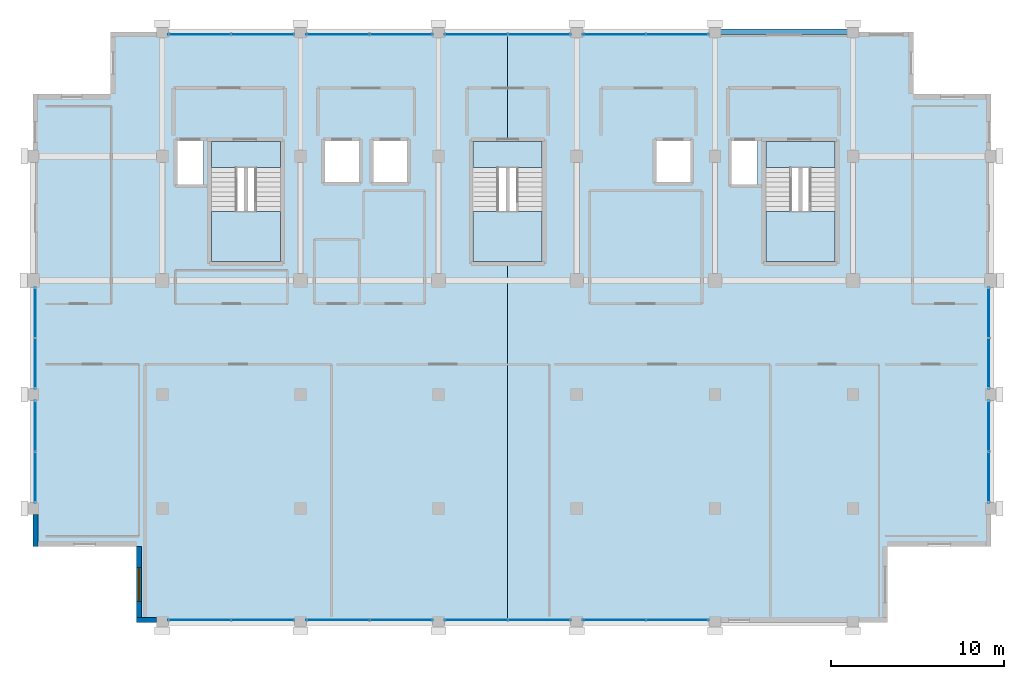
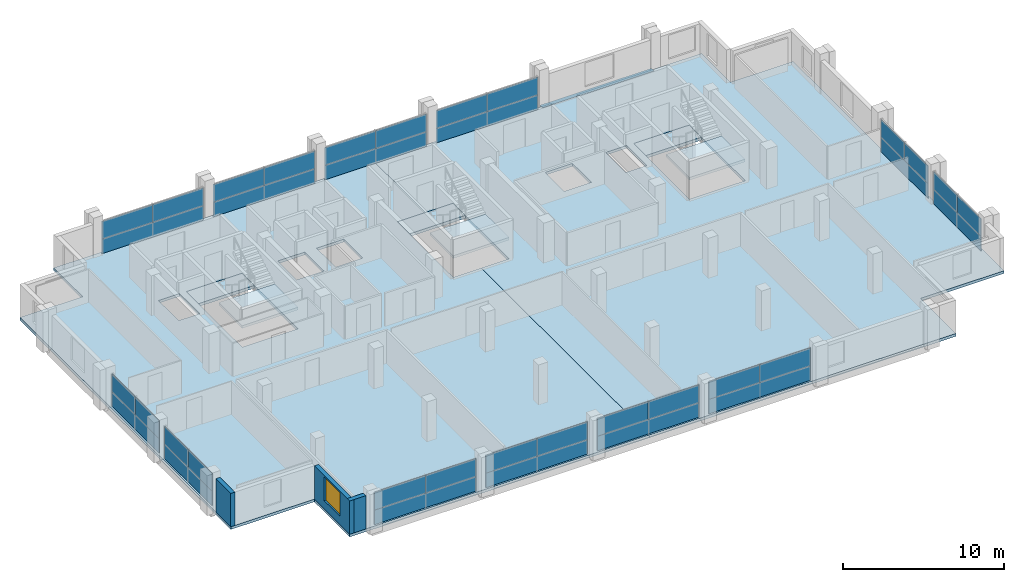
# One storey, part 19 of 24: 36 plates, 8 slabs, 3 walls, 1 beam, 1 window, 1 opening, 15 elements without a shape of their own.
"""IFC4 building model written with IfcOpenShell, lengths in metres."""

from ifc_helpers import new_model, si_unit, direction, frame, frame_2d, origin, origin_2d, place, context, subcontext, project, spatial, polyline, rectangle, outline, extrude, material, layer, layer_set, material_profile, profile_set, type_object, element, fill, aggregate, save


model = new_model("IFC4")

# Units and contexts
model_context = context("Model", 3, precision=1e-05, world=origin(), true_north=direction((0.0, 1.0)))
body_context = subcontext(model_context, "Body", "Model", "MODEL_VIEW")
ifc_project = project(units=[si_unit("LENGTHUNIT", "METRE"), si_unit("AREAUNIT", "SQUARE_METRE"), si_unit("VOLUMEUNIT", "CUBIC_METRE"), si_unit("PLANEANGLEUNIT", "RADIAN"), si_unit("MASSUNIT", "GRAM", prefix="KILO")], contexts=[model_context])

# Site, building, storey
site_placement = place(None, origin())
site = spatial("IfcSite", under=ifc_project, at=site_placement, CompositionType="ELEMENT")
building_placement = place(site_placement, origin())
building = spatial("IfcBuilding", under=site, at=building_placement, Name="Akrevak Sports Hall", CompositionType="ELEMENT")
storey_placement = place(building_placement, frame((0.0, 0.0, 60.050048828125)))
storey = spatial("IfcBuildingStorey", under=building, at=storey_placement, Name="L15", CompositionType="ELEMENT", Elevation=60.050048828125)

# Beam
ifc_material_1 = material(Name="Concrete C40/50", Category="concrete")
ifc_material_profile = material_profile(ifc_material_1, rectangle(XDim=0.320068359375, YDim=0.679931640625, at=origin_2d()), Name="SPD 320x680", Category="concrete")
ifc_profile_set = profile_set([ifc_material_profile], Name="Concrete C40/50")
beam_type = type_object("IfcBeamType", Name="STR-SPD-RC320x680", PredefinedType="SPANDREL", material=ifc_profile_set)
beam_placement = place(storey_placement, frame((92.0, 69.60009765625, -0.340087890625), z_axis=(1.0, 0.0, 0.0), x_axis=(0.0, 1.0, 0.0)))
element("IfcBeam", 1, at=beam_placement, inside=storey, type_object=beam_type, Name="Girder K/13-14 (L15)", PredefinedType="SPANDREL", context=body_context, shape_type="SweptSolid", body=[
    extrude(rectangle(XDim=0.320068359375, YDim=0.679931640625, at=origin_2d()), origin(), (0.0, 0.0, 1.0), 8.0),
])

# Curtain wall, plates
ifc_material_2 = material(Name="Anodized Bronze Aluminium & Low-E Glass", Category="aluminium")
curtain_wall_type = type_object("IfcCurtainWallType", Name="ARC-CW-TWR-56x30", PredefinedType="NOTDEFINED", material=ifc_material_2)
curtain_wall_1_placement = place(storey_placement, origin())
curtain_wall_1 = element("IfcCurtainWall", 2, at=curtain_wall_1_placement, inside=storey, type_object=curtain_wall_type, Name="Curtain Wall CW-L15-S02", PredefinedType="NOTDEFINED")
ifc_material_3 = material(Name="Double Low-E Tempered Glass", Category="glass")
ifc_layer_1 = layer(ifc_material_3, 0.031982421875, Name="Double Low-E Tempered Glass")
ifc_layer_set_1 = layer_set([ifc_layer_1], Name="Double Low-E Tempered Glass")
plate_type_1 = type_object("IfcPlateType", Name="ARC-CWP-GLZ-32", PredefinedType="CURTAIN_PANEL", material=ifc_layer_set_1)
plate_1_placement = place(storey_placement, frame((62.175048828125, 35.550048828125, 1.099853515625), z_axis=(0.0, 0.0, 1.0), x_axis=(1.0, 0.0, 0.0)))
plate_1 = element("IfcPlate", 3, at=plate_1_placement, type_object=plate_type_1, Name="Vision Glass Panel CW-L15-S02-G1", PredefinedType="CURTAIN_PANEL", context=body_context, shape_type="SweptSolid", body=[
    extrude(rectangle(XDim=3.64990234375, YDim=0.035888671875, at=origin_2d()), origin(), (0.0, 0.0, 1.0), 1.35009765625),
])
plate_2_placement = place(storey_placement, frame((65.824951171875, 35.550048828125, 1.099853515625), z_axis=(0.0, 0.0, 1.0), x_axis=(1.0, 0.0, 0.0)))
plate_2 = element("IfcPlate", 4, at=plate_2_placement, type_object=plate_type_1, Name="Vision Glass Panel CW-L15-S02-G2", PredefinedType="CURTAIN_PANEL", context=body_context, shape_type="SweptSolid", body=[
    extrude(rectangle(XDim=3.64990234375, YDim=0.035888671875, at=origin_2d()), origin(), (0.0, 0.0, 1.0), 1.35009765625),
])

curtain_wall_2_placement = place(storey_placement, origin())
curtain_wall_2 = element("IfcCurtainWall", 5, at=curtain_wall_2_placement, inside=storey, type_object=curtain_wall_type, Name="Curtain Wall CW-L15-S03", PredefinedType="NOTDEFINED")
plate_3_placement = place(storey_placement, frame((70.175048828125, 35.550048828125, 1.099853515625), z_axis=(0.0, 0.0, 1.0), x_axis=(1.0, 0.0, 0.0)))
plate_3 = element("IfcPlate", 6, at=plate_3_placement, type_object=plate_type_1, Name="Vision Glass Panel CW-L15-S03-G1", PredefinedType="CURTAIN_PANEL", context=body_context, shape_type="SweptSolid", body=[
    extrude(rectangle(XDim=3.64990234375, YDim=0.035888671875, at=origin_2d()), origin(), (0.0, 0.0, 1.0), 1.35009765625),
])
plate_4_placement = place(storey_placement, frame((73.824951171875, 35.550048828125, 1.099853515625), z_axis=(0.0, 0.0, 1.0), x_axis=(1.0, 0.0, 0.0)))
plate_4 = element("IfcPlate", 7, at=plate_4_placement, type_object=plate_type_1, Name="Vision Glass Panel CW-L15-S03-G2", PredefinedType="CURTAIN_PANEL", context=body_context, shape_type="SweptSolid", body=[
    extrude(rectangle(XDim=3.64990234375, YDim=0.035888671875, at=origin_2d()), origin(), (0.0, 0.0, 1.0), 1.35009765625),
])

curtain_wall_3_placement = place(storey_placement, origin())
curtain_wall_3 = element("IfcCurtainWall", 8, at=curtain_wall_3_placement, inside=storey, type_object=curtain_wall_type, Name="Curtain Wall CW-L15-S04", PredefinedType="NOTDEFINED")
plate_5_placement = place(storey_placement, frame((78.175048828125, 35.550048828125, 1.099853515625), z_axis=(0.0, 0.0, 1.0), x_axis=(1.0, 0.0, 0.0)))
plate_5 = element("IfcPlate", 9, at=plate_5_placement, type_object=plate_type_1, Name="Vision Glass Panel CW-L15-S04-G1", PredefinedType="CURTAIN_PANEL", context=body_context, shape_type="SweptSolid", body=[
    extrude(rectangle(XDim=3.64990234375, YDim=0.035888671875, at=origin_2d()), origin(), (0.0, 0.0, 1.0), 1.35009765625),
])
plate_6_placement = place(storey_placement, frame((81.824951171875, 35.550048828125, 1.099853515625), z_axis=(0.0, 0.0, 1.0), x_axis=(1.0, 0.0, 0.0)))
plate_6 = element("IfcPlate", 10, at=plate_6_placement, type_object=plate_type_1, Name="Vision Glass Panel CW-L15-S04-G2", PredefinedType="CURTAIN_PANEL", context=body_context, shape_type="SweptSolid", body=[
    extrude(rectangle(XDim=3.64990234375, YDim=0.035888671875, at=origin_2d()), origin(), (0.0, 0.0, 1.0), 1.35009765625),
])

curtain_wall_4_placement = place(storey_placement, origin())
curtain_wall_4 = element("IfcCurtainWall", 11, at=curtain_wall_4_placement, inside=storey, type_object=curtain_wall_type, Name="Curtain Wall CW-L15-S05", PredefinedType="NOTDEFINED")
plate_7_placement = place(storey_placement, frame((86.175048828125, 35.550048828125, 1.099853515625), z_axis=(0.0, 0.0, 1.0), x_axis=(1.0, 0.0, 0.0)))
plate_7 = element("IfcPlate", 12, at=plate_7_placement, type_object=plate_type_1, Name="Vision Glass Panel CW-L15-S05-G1", PredefinedType="CURTAIN_PANEL", context=body_context, shape_type="SweptSolid", body=[
    extrude(rectangle(XDim=3.64990234375, YDim=0.035888671875, at=origin_2d()), origin(), (0.0, 0.0, 1.0), 1.35009765625),
])
plate_8_placement = place(storey_placement, frame((89.824951171875, 35.550048828125, 1.099853515625), z_axis=(0.0, 0.0, 1.0), x_axis=(1.0, 0.0, 0.0)))
plate_8 = element("IfcPlate", 13, at=plate_8_placement, type_object=plate_type_1, Name="Vision Glass Panel CW-L15-S05-G2", PredefinedType="CURTAIN_PANEL", context=body_context, shape_type="SweptSolid", body=[
    extrude(rectangle(XDim=3.64990234375, YDim=0.035888671875, at=origin_2d()), origin(), (0.0, 0.0, 1.0), 1.35009765625),
])

curtain_wall_5_placement = place(storey_placement, origin())
curtain_wall_5 = element("IfcCurtainWall", 14, at=curtain_wall_5_placement, inside=storey, type_object=curtain_wall_type, Name="Curtain Wall CW-L15-E11", PredefinedType="NOTDEFINED")
plate_9_placement = place(storey_placement, frame((107.85009765625, 43.824951171875, 1.099853515625), z_axis=(0.0, 0.0, 1.0), x_axis=(0.0, 1.0, 0.0)))
plate_9 = element("IfcPlate", 15, at=plate_9_placement, type_object=plate_type_1, Name="Vision Glass Panel CW-L15-E11-G1", PredefinedType="CURTAIN_PANEL", context=body_context, shape_type="SweptSolid", body=[
    extrude(rectangle(XDim=2.949951171875, YDim=0.035888671875, at=origin_2d()), origin(), (0.0, 0.0, 1.0), 1.35009765625),
])
plate_10_placement = place(storey_placement, frame((107.85009765625, 46.77490234375, 1.099853515625), z_axis=(0.0, 0.0, 1.0), x_axis=(0.0, 1.0, 0.0)))
plate_10 = element("IfcPlate", 16, at=plate_10_placement, type_object=plate_type_1, Name="Vision Glass Panel CW-L15-E11-G2", PredefinedType="CURTAIN_PANEL", context=body_context, shape_type="SweptSolid", body=[
    extrude(rectangle(XDim=2.949951171875, YDim=0.035888671875, at=origin_2d()), origin(), (0.0, 0.0, 1.0), 1.35009765625),
])

curtain_wall_6_placement = place(storey_placement, origin())
curtain_wall_6 = element("IfcCurtainWall", 17, at=curtain_wall_6_placement, inside=storey, type_object=curtain_wall_type, Name="Curtain Wall CW-L15-E12", PredefinedType="NOTDEFINED")
plate_11_placement = place(storey_placement, frame((107.85009765625, 50.41259765625, 1.099853515625), z_axis=(0.0, 0.0, 1.0), x_axis=(0.0, 1.0, 0.0)))
plate_11 = element("IfcPlate", 18, at=plate_11_placement, type_object=plate_type_1, Name="Vision Glass Panel CW-L15-E12-G1", PredefinedType="CURTAIN_PANEL", context=body_context, shape_type="SweptSolid", body=[
    extrude(rectangle(XDim=2.925048828125, YDim=0.035888671875, at=origin_2d()), origin(), (0.0, 0.0, 1.0), 1.35009765625),
])
plate_12_placement = place(storey_placement, frame((107.85009765625, 53.33740234375, 1.099853515625), z_axis=(0.0, 0.0, 1.0), x_axis=(0.0, 1.0, 0.0)))
plate_12 = element("IfcPlate", 19, at=plate_12_placement, type_object=plate_type_1, Name="Vision Glass Panel CW-L15-E12-G2", PredefinedType="CURTAIN_PANEL", context=body_context, shape_type="SweptSolid", body=[
    extrude(rectangle(XDim=2.925048828125, YDim=0.035888671875, at=origin_2d()), origin(), (0.0, 0.0, 1.0), 1.35009765625),
])

curtain_wall_7_placement = place(storey_placement, origin())
curtain_wall_7 = element("IfcCurtainWall", 20, at=curtain_wall_7_placement, inside=storey, type_object=curtain_wall_type, Name="Curtain Wall CW-L15-N19", PredefinedType="NOTDEFINED")
plate_13_placement = place(storey_placement, frame((89.824951171875, 69.449951171875, 1.099853515625), z_axis=(0.0, 0.0, 1.0), x_axis=(-1.0, 0.0, 0.0)))
plate_13 = element("IfcPlate", 21, at=plate_13_placement, type_object=plate_type_1, Name="Vision Glass Panel CW-L15-N19-G1", PredefinedType="CURTAIN_PANEL", context=body_context, shape_type="SweptSolid", body=[
    extrude(rectangle(XDim=3.64990234375, YDim=0.035888671875, at=origin_2d()), origin(), (0.0, 0.0, 1.0), 1.35009765625),
])
plate_14_placement = place(storey_placement, frame((86.175048828125, 69.449951171875, 1.099853515625), z_axis=(0.0, 0.0, 1.0), x_axis=(-1.0, 0.0, 0.0)))
plate_14 = element("IfcPlate", 22, at=plate_14_placement, type_object=plate_type_1, Name="Vision Glass Panel CW-L15-N19-G2", PredefinedType="CURTAIN_PANEL", context=body_context, shape_type="SweptSolid", body=[
    extrude(rectangle(XDim=3.64990234375, YDim=0.035888671875, at=origin_2d()), origin(), (0.0, 0.0, 1.0), 1.35009765625),
])

curtain_wall_8_placement = place(storey_placement, origin())
curtain_wall_8 = element("IfcCurtainWall", 23, at=curtain_wall_8_placement, inside=storey, type_object=curtain_wall_type, Name="Curtain Wall CW-L15-N20", PredefinedType="NOTDEFINED")
plate_15_placement = place(storey_placement, frame((81.824951171875, 69.449951171875, 1.099853515625), z_axis=(0.0, 0.0, 1.0), x_axis=(-1.0, 0.0, 0.0)))
plate_15 = element("IfcPlate", 24, at=plate_15_placement, type_object=plate_type_1, Name="Vision Glass Panel CW-L15-N20-G1", PredefinedType="CURTAIN_PANEL", context=body_context, shape_type="SweptSolid", body=[
    extrude(rectangle(XDim=3.64990234375, YDim=0.035888671875, at=origin_2d()), origin(), (0.0, 0.0, 1.0), 1.35009765625),
])
plate_16_placement = place(storey_placement, frame((78.175048828125, 69.449951171875, 1.099853515625), z_axis=(0.0, 0.0, 1.0), x_axis=(-1.0, 0.0, 0.0)))
plate_16 = element("IfcPlate", 25, at=plate_16_placement, type_object=plate_type_1, Name="Vision Glass Panel CW-L15-N20-G2", PredefinedType="CURTAIN_PANEL", context=body_context, shape_type="SweptSolid", body=[
    extrude(rectangle(XDim=3.64990234375, YDim=0.035888671875, at=origin_2d()), origin(), (0.0, 0.0, 1.0), 1.35009765625),
])

curtain_wall_9_placement = place(storey_placement, origin())
curtain_wall_9 = element("IfcCurtainWall", 26, at=curtain_wall_9_placement, inside=storey, type_object=curtain_wall_type, Name="Curtain Wall CW-L15-N21", PredefinedType="NOTDEFINED")
plate_17_placement = place(storey_placement, frame((73.824951171875, 69.449951171875, 1.099853515625), z_axis=(0.0, 0.0, 1.0), x_axis=(-1.0, 0.0, 0.0)))
plate_17 = element("IfcPlate", 27, at=plate_17_placement, type_object=plate_type_1, Name="Vision Glass Panel CW-L15-N21-G1", PredefinedType="CURTAIN_PANEL", context=body_context, shape_type="SweptSolid", body=[
    extrude(rectangle(XDim=3.64990234375, YDim=0.035888671875, at=origin_2d()), origin(), (0.0, 0.0, 1.0), 1.35009765625),
])
plate_18_placement = place(storey_placement, frame((70.175048828125, 69.449951171875, 1.099853515625), z_axis=(0.0, 0.0, 1.0), x_axis=(-1.0, 0.0, 0.0)))
plate_18 = element("IfcPlate", 28, at=plate_18_placement, type_object=plate_type_1, Name="Vision Glass Panel CW-L15-N21-G2", PredefinedType="CURTAIN_PANEL", context=body_context, shape_type="SweptSolid", body=[
    extrude(rectangle(XDim=3.64990234375, YDim=0.035888671875, at=origin_2d()), origin(), (0.0, 0.0, 1.0), 1.35009765625),
])

curtain_wall_10_placement = place(storey_placement, origin())
curtain_wall_10 = element("IfcCurtainWall", 29, at=curtain_wall_10_placement, inside=storey, type_object=curtain_wall_type, Name="Curtain Wall CW-L15-N22", PredefinedType="NOTDEFINED")
plate_19_placement = place(storey_placement, frame((65.824951171875, 69.449951171875, 1.099853515625), z_axis=(0.0, 0.0, 1.0), x_axis=(-1.0, 0.0, 0.0)))
plate_19 = element("IfcPlate", 30, at=plate_19_placement, type_object=plate_type_1, Name="Vision Glass Panel CW-L15-N22-G1", PredefinedType="CURTAIN_PANEL", context=body_context, shape_type="SweptSolid", body=[
    extrude(rectangle(XDim=3.64990234375, YDim=0.035888671875, at=origin_2d()), origin(), (0.0, 0.0, 1.0), 1.35009765625),
])
plate_20_placement = place(storey_placement, frame((62.175048828125, 69.449951171875, 1.099853515625), z_axis=(0.0, 0.0, 1.0), x_axis=(-1.0, 0.0, 0.0)))
plate_20 = element("IfcPlate", 31, at=plate_20_placement, type_object=plate_type_1, Name="Vision Glass Panel CW-L15-N22-G2", PredefinedType="CURTAIN_PANEL", context=body_context, shape_type="SweptSolid", body=[
    extrude(rectangle(XDim=3.64990234375, YDim=0.035888671875, at=origin_2d()), origin(), (0.0, 0.0, 1.0), 1.35009765625),
])

curtain_wall_11_placement = place(storey_placement, origin())
curtain_wall_11 = element("IfcCurtainWall", 32, at=curtain_wall_11_placement, inside=storey, type_object=curtain_wall_type, Name="Curtain Wall CW-L15-W28", PredefinedType="NOTDEFINED")
plate_21_placement = place(storey_placement, frame((52.64990234375, 53.33740234375, 1.099853515625), z_axis=(0.0, 0.0, 1.0), x_axis=(0.0, -1.0, 0.0)))
plate_21 = element("IfcPlate", 33, at=plate_21_placement, type_object=plate_type_1, Name="Vision Glass Panel CW-L15-W28-G1", PredefinedType="CURTAIN_PANEL", context=body_context, shape_type="SweptSolid", body=[
    extrude(rectangle(XDim=2.925048828125, YDim=0.035888671875, at=origin_2d()), origin(), (0.0, 0.0, 1.0), 1.35009765625),
])
plate_22_placement = place(storey_placement, frame((52.64990234375, 50.41259765625, 1.099853515625), z_axis=(0.0, 0.0, 1.0), x_axis=(0.0, -1.0, 0.0)))
plate_22 = element("IfcPlate", 34, at=plate_22_placement, type_object=plate_type_1, Name="Vision Glass Panel CW-L15-W28-G2", PredefinedType="CURTAIN_PANEL", context=body_context, shape_type="SweptSolid", body=[
    extrude(rectangle(XDim=2.925048828125, YDim=0.035888671875, at=origin_2d()), origin(), (0.0, 0.0, 1.0), 1.35009765625),
])

curtain_wall_12_placement = place(storey_placement, origin())
curtain_wall_12 = element("IfcCurtainWall", 35, at=curtain_wall_12_placement, inside=storey, type_object=curtain_wall_type, Name="Curtain Wall CW-L15-W29", PredefinedType="NOTDEFINED")
plate_23_placement = place(storey_placement, frame((52.64990234375, 46.77490234375, 1.099853515625), z_axis=(0.0, 0.0, 1.0), x_axis=(0.0, -1.0, 0.0)))
plate_23 = element("IfcPlate", 36, at=plate_23_placement, type_object=plate_type_1, Name="Vision Glass Panel CW-L15-W29-G1", PredefinedType="CURTAIN_PANEL", context=body_context, shape_type="SweptSolid", body=[
    extrude(rectangle(XDim=2.949951171875, YDim=0.035888671875, at=origin_2d()), origin(), (0.0, 0.0, 1.0), 1.35009765625),
])
plate_24_placement = place(storey_placement, frame((52.64990234375, 43.824951171875, 1.099853515625), z_axis=(0.0, 0.0, 1.0), x_axis=(0.0, -1.0, 0.0)))
plate_24 = element("IfcPlate", 37, at=plate_24_placement, type_object=plate_type_1, Name="Vision Glass Panel CW-L15-W29-G2", PredefinedType="CURTAIN_PANEL", context=body_context, shape_type="SweptSolid", body=[
    extrude(rectangle(XDim=2.949951171875, YDim=0.035888671875, at=origin_2d()), origin(), (0.0, 0.0, 1.0), 1.35009765625),
])

# Plate
ifc_material_4 = material(Name="Insulated Bronze Spandrel Panel", Category="aluminium")
ifc_layer_2 = layer(ifc_material_4, 0.0400390625, Name="Insulated Bronze Spandrel Panel")
ifc_layer_set_2 = layer_set([ifc_layer_2], Name="Insulated Bronze Spandrel Panel")
plate_type_2 = type_object("IfcPlateType", Name="ARC-CWP-SPD-40", PredefinedType="CURTAIN_PANEL", material=ifc_layer_set_2)
plate_25_placement = place(storey_placement, frame((64.0, 35.550048828125, 0.0), z_axis=(0.0, 0.0, 1.0), x_axis=(1.0, 0.0, 0.0)))
plate_25 = element("IfcPlate", 38, at=plate_25_placement, type_object=plate_type_2, Name="Insulated Spandrel Panel CW-L15-S02-S1", PredefinedType="CURTAIN_PANEL", context=body_context, shape_type="SweptSolid", body=[
    extrude(rectangle(XDim=7.300048828125, YDim=0.0439453125, at=origin_2d()), origin(), (0.0, 0.0, 1.0), 1.10009765625),
])

aggregate(curtain_wall_1, [plate_1, plate_2, plate_25])

plate_26_placement = place(storey_placement, frame((72.0, 35.550048828125, 0.0), z_axis=(0.0, 0.0, 1.0), x_axis=(1.0, 0.0, 0.0)))
plate_26 = element("IfcPlate", 39, at=plate_26_placement, type_object=plate_type_2, Name="Insulated Spandrel Panel CW-L15-S03-S1", PredefinedType="CURTAIN_PANEL", context=body_context, shape_type="SweptSolid", body=[
    extrude(rectangle(XDim=7.300048828125, YDim=0.0439453125, at=origin_2d()), origin(), (0.0, 0.0, 1.0), 1.10009765625),
])

aggregate(curtain_wall_2, [plate_3, plate_4, plate_26])

plate_27_placement = place(storey_placement, frame((80.0, 35.550048828125, 0.0), z_axis=(0.0, 0.0, 1.0), x_axis=(1.0, 0.0, 0.0)))
plate_27 = element("IfcPlate", 40, at=plate_27_placement, type_object=plate_type_2, Name="Insulated Spandrel Panel CW-L15-S04-S1", PredefinedType="CURTAIN_PANEL", context=body_context, shape_type="SweptSolid", body=[
    extrude(rectangle(XDim=7.300048828125, YDim=0.0439453125, at=origin_2d()), origin(), (0.0, 0.0, 1.0), 1.10009765625),
])

aggregate(curtain_wall_3, [plate_5, plate_6, plate_27])

plate_28_placement = place(storey_placement, frame((88.0, 35.550048828125, 0.0), z_axis=(0.0, 0.0, 1.0), x_axis=(1.0, 0.0, 0.0)))
plate_28 = element("IfcPlate", 41, at=plate_28_placement, type_object=plate_type_2, Name="Insulated Spandrel Panel CW-L15-S05-S1", PredefinedType="CURTAIN_PANEL", context=body_context, shape_type="SweptSolid", body=[
    extrude(rectangle(XDim=7.300048828125, YDim=0.0439453125, at=origin_2d()), origin(), (0.0, 0.0, 1.0), 1.10009765625),
])

aggregate(curtain_wall_4, [plate_7, plate_8, plate_28])

plate_29_placement = place(storey_placement, frame((107.85009765625, 45.300048828125, 0.0), z_axis=(0.0, 0.0, 1.0), x_axis=(0.0, 1.0, 0.0)))
plate_29 = element("IfcPlate", 42, at=plate_29_placement, type_object=plate_type_2, Name="Insulated Spandrel Panel CW-L15-E11-S1", PredefinedType="CURTAIN_PANEL", context=body_context, shape_type="SweptSolid", body=[
    extrude(rectangle(XDim=5.89990234375, YDim=0.0439453125, at=origin_2d()), origin(), (0.0, 0.0, 1.0), 1.10009765625),
])

aggregate(curtain_wall_5, [plate_9, plate_10, plate_29])

plate_30_placement = place(storey_placement, frame((107.85009765625, 51.875, 0.0), z_axis=(0.0, 0.0, 1.0), x_axis=(0.0, 1.0, 0.0)))
plate_30 = element("IfcPlate", 43, at=plate_30_placement, type_object=plate_type_2, Name="Insulated Spandrel Panel CW-L15-E12-S1", PredefinedType="CURTAIN_PANEL", context=body_context, shape_type="SweptSolid", body=[
    extrude(rectangle(XDim=5.85009765625, YDim=0.0439453125, at=origin_2d()), origin(), (0.0, 0.0, 1.0), 1.10009765625),
])

aggregate(curtain_wall_6, [plate_11, plate_12, plate_30])

plate_31_placement = place(storey_placement, frame((88.0, 69.449951171875, 0.0), z_axis=(0.0, 0.0, 1.0), x_axis=(-1.0, 0.0, 0.0)))
plate_31 = element("IfcPlate", 44, at=plate_31_placement, type_object=plate_type_2, Name="Insulated Spandrel Panel CW-L15-N19-S1", PredefinedType="CURTAIN_PANEL", context=body_context, shape_type="SweptSolid", body=[
    extrude(rectangle(XDim=7.300048828125, YDim=0.0439453125, at=origin_2d()), origin(), (0.0, 0.0, 1.0), 1.10009765625),
])

aggregate(curtain_wall_7, [plate_13, plate_14, plate_31])

plate_32_placement = place(storey_placement, frame((80.0, 69.449951171875, 0.0), z_axis=(0.0, 0.0, 1.0), x_axis=(-1.0, 0.0, 0.0)))
plate_32 = element("IfcPlate", 45, at=plate_32_placement, type_object=plate_type_2, Name="Insulated Spandrel Panel CW-L15-N20-S1", PredefinedType="CURTAIN_PANEL", context=body_context, shape_type="SweptSolid", body=[
    extrude(rectangle(XDim=7.300048828125, YDim=0.0439453125, at=origin_2d()), origin(), (0.0, 0.0, 1.0), 1.10009765625),
])

aggregate(curtain_wall_8, [plate_15, plate_16, plate_32])

plate_33_placement = place(storey_placement, frame((72.0, 69.449951171875, 0.0), z_axis=(0.0, 0.0, 1.0), x_axis=(-1.0, 0.0, 0.0)))
plate_33 = element("IfcPlate", 46, at=plate_33_placement, type_object=plate_type_2, Name="Insulated Spandrel Panel CW-L15-N21-S1", PredefinedType="CURTAIN_PANEL", context=body_context, shape_type="SweptSolid", body=[
    extrude(rectangle(XDim=7.300048828125, YDim=0.0439453125, at=origin_2d()), origin(), (0.0, 0.0, 1.0), 1.10009765625),
])

aggregate(curtain_wall_9, [plate_17, plate_18, plate_33])

plate_34_placement = place(storey_placement, frame((64.0, 69.449951171875, 0.0), z_axis=(0.0, 0.0, 1.0), x_axis=(-1.0, 0.0, 0.0)))
plate_34 = element("IfcPlate", 47, at=plate_34_placement, type_object=plate_type_2, Name="Insulated Spandrel Panel CW-L15-N22-S1", PredefinedType="CURTAIN_PANEL", context=body_context, shape_type="SweptSolid", body=[
    extrude(rectangle(XDim=7.300048828125, YDim=0.0439453125, at=origin_2d()), origin(), (0.0, 0.0, 1.0), 1.10009765625),
])

aggregate(curtain_wall_10, [plate_19, plate_20, plate_34])

plate_35_placement = place(storey_placement, frame((52.64990234375, 51.875, 0.0), z_axis=(0.0, 0.0, 1.0), x_axis=(0.0, -1.0, 0.0)))
plate_35 = element("IfcPlate", 48, at=plate_35_placement, type_object=plate_type_2, Name="Insulated Spandrel Panel CW-L15-W28-S1", PredefinedType="CURTAIN_PANEL", context=body_context, shape_type="SweptSolid", body=[
    extrude(rectangle(XDim=5.85009765625, YDim=0.0439453125, at=origin_2d()), origin(), (0.0, 0.0, 1.0), 1.10009765625),
])

aggregate(curtain_wall_11, [plate_21, plate_22, plate_35])

plate_36_placement = place(storey_placement, frame((52.64990234375, 45.300048828125, 0.0), z_axis=(0.0, 0.0, 1.0), x_axis=(0.0, -1.0, 0.0)))
plate_36 = element("IfcPlate", 49, at=plate_36_placement, type_object=plate_type_2, Name="Insulated Spandrel Panel CW-L15-W29-S1", PredefinedType="CURTAIN_PANEL", context=body_context, shape_type="SweptSolid", body=[
    extrude(rectangle(XDim=5.89990234375, YDim=0.0439453125, at=origin_2d()), origin(), (0.0, 0.0, 1.0), 1.10009765625),
])

aggregate(curtain_wall_12, [plate_23, plate_24, plate_36])

# Slabs
ifc_layer_3 = layer(ifc_material_1, 0.2099609375, Name="Concrete C40/50")
ifc_layer_set_3 = layer_set([ifc_layer_3], Name="Concrete C40/50")
slab_type_1 = type_object("IfcSlabType", Name="STR-SLB-FLR-210", PredefinedType="FLOOR", material=ifc_layer_set_3)
slab_1_placement = place(storey_placement, frame((0.0, 0.0, -0.2099609375)))
element("IfcSlab", 50, at=slab_1_placement, inside=storey, type_object=slab_type_1, Name="Structural Floor Slab L15-1.1", PredefinedType="FLOOR", context=body_context, shape_type="SweptSolid", body=[
    extrude(outline(polyline([(58.5, 39.800048828125), (58.5, 35.39990234375), (80.0, 35.39990234375), (80.0, 56.300048828125), (78.0, 56.300048828125), (78.0, 63.25), (80.0, 63.25), (80.0, 69.60009765625), (57.0, 69.60009765625), (57.0, 66.0), (52.5, 66.0), (52.5, 39.800048828125), (58.5, 39.800048828125)]), holes=[polyline([(62.85009765625, 63.25), (66.85009765625, 63.25), (66.85009765625, 56.300048828125), (62.85009765625, 56.300048828125), (62.85009765625, 63.25)]), polyline([(60.8701171875, 63.280029296875), (62.3798828125, 63.280029296875), (62.3798828125, 60.77001953125), (60.8701171875, 60.77001953125), (60.8701171875, 63.280029296875)]), polyline([(69.419921875, 63.280029296875), (71.3798828125, 63.280029296875), (71.3798828125, 60.919921875), (69.419921875, 60.919921875), (69.419921875, 63.280029296875)]), polyline([(72.219970703125, 63.280029296875), (74.179931640625, 63.280029296875), (74.179931640625, 60.919921875), (72.219970703125, 60.919921875), (72.219970703125, 63.280029296875)])]), origin(), (0.0, 0.0, 1.0), 0.2099609375),
])
slab_2_placement = place(storey_placement, frame((0.0, 0.0, -0.2099609375)))
element("IfcSlab", 51, at=slab_2_placement, inside=storey, type_object=slab_type_1, Name="Structural Floor Slab L15-2.1", PredefinedType="FLOOR", context=body_context, shape_type="SweptSolid", body=[
    extrude(outline(polyline([(80.0, 69.60009765625), (80.0, 63.25), (82.0, 63.25), (82.0, 56.300048828125), (80.0, 56.300048828125), (80.0, 35.39990234375), (102.0, 35.39990234375), (102.0, 39.800048828125), (108.0, 39.800048828125), (108.0, 66.0), (103.5, 66.0), (103.5, 69.60009765625), (80.0, 69.60009765625)]), holes=[polyline([(94.949951171875, 63.25), (98.949951171875, 63.25), (98.949951171875, 56.300048828125), (94.949951171875, 56.300048828125), (94.949951171875, 63.25)]), polyline([(92.969970703125, 63.280029296875), (94.47998046875, 63.280029296875), (94.47998046875, 60.77001953125), (92.969970703125, 60.77001953125), (92.969970703125, 63.280029296875)]), polyline([(88.6201171875, 63.280029296875), (90.580078125, 63.280029296875), (90.580078125, 60.919921875), (88.6201171875, 60.919921875), (88.6201171875, 63.280029296875)])]), origin(), (0.0, 0.0, 1.0), 0.2099609375),
])

# Stair, slab
stair_type = type_object("IfcStairType", Name="ARC-STR-DOG-325", PredefinedType="HALF_TURN_STAIR", material=ifc_material_1)
stair_1_placement = place(storey_placement, origin())
stair_1 = element("IfcStair", 52, at=stair_1_placement, inside=storey, type_object=stair_type, Name="Protected Exit Stair ST1 (L15 to L16)", PredefinedType="HALF_TURN_STAIR")
ifc_layer_4 = layer(ifc_material_1, 0.199951171875, Name="Concrete C40/50")
ifc_layer_set_4 = layer_set([ifc_layer_4], Name="Concrete C40/50")
slab_type_2 = type_object("IfcSlabType", Name="STR-SLB-LAND-200", PredefinedType="LANDING", material=ifc_layer_set_4)
slab_3_placement = place(storey_placement, frame((0.0, 0.0, 1.425048828125)))
slab_3 = element("IfcSlab", 53, at=slab_3_placement, type_object=slab_type_2, Name="Stair ST1 Half-Landing 1 (L15)", PredefinedType="LANDING", context=body_context, shape_type="SweptSolid", body=[
    extrude(outline(polyline([(62.85009765625, 56.300048828125), (66.85009765625, 56.300048828125), (66.85009765625, 59.215087890625), (62.85009765625, 59.215087890625), (62.85009765625, 56.300048828125)])), origin(), (0.0, 0.0, 1.0), 0.199951171875),
])
aggregate(stair_1, [slab_3])

stair_2_placement = place(storey_placement, origin())
stair_2 = element("IfcStair", 54, at=stair_2_placement, inside=storey, type_object=stair_type, Name="Protected Exit Stair ST2 (L15 to L16)", PredefinedType="HALF_TURN_STAIR")
slab_4_placement = place(storey_placement, frame((0.0, 0.0, 1.425048828125)))
slab_4 = element("IfcSlab", 55, at=slab_4_placement, type_object=slab_type_2, Name="Stair ST2 Half-Landing 1 (L15)", PredefinedType="LANDING", context=body_context, shape_type="SweptSolid", body=[
    extrude(outline(polyline([(94.949951171875, 56.300048828125), (98.949951171875, 56.300048828125), (98.949951171875, 59.215087890625), (94.949951171875, 59.215087890625), (94.949951171875, 56.300048828125)])), origin(), (0.0, 0.0, 1.0), 0.199951171875),
])
aggregate(stair_2, [slab_4])

stair_3_placement = place(storey_placement, origin())
stair_3 = element("IfcStair", 56, at=stair_3_placement, inside=storey, type_object=stair_type, Name="Protected Exit Stair ST3 (L15 to L16)", PredefinedType="HALF_TURN_STAIR")
slab_5_placement = place(storey_placement, frame((0.0, 0.0, 1.425048828125)))
slab_5 = element("IfcSlab", 57, at=slab_5_placement, type_object=slab_type_2, Name="Stair ST3 Half-Landing 1 (L15)", PredefinedType="LANDING", context=body_context, shape_type="SweptSolid", body=[
    extrude(outline(polyline([(78.0, 56.300048828125), (82.0, 56.300048828125), (82.0, 59.215087890625), (78.0, 59.215087890625), (78.0, 56.300048828125)])), origin(), (0.0, 0.0, 1.0), 0.199951171875),
])
aggregate(stair_3, [slab_5])

# Slabs
ifc_layer_5 = layer(ifc_material_1, 0.219970703125, Name="Concrete C40/50")
ifc_layer_set_5 = layer_set([ifc_layer_5], Name="Concrete C40/50")
slab_type_3 = type_object("IfcSlabType", Name="STR-SLB-LAND-220", PredefinedType="LANDING", material=ifc_layer_set_5)
slab_6_placement = place(storey_placement, frame((0.0, 0.0, -0.219970703125)))
element("IfcSlab", 58, at=slab_6_placement, inside=storey, type_object=slab_type_3, Name="Stair ST1 Floor Landing (L15)", PredefinedType="LANDING", context=body_context, shape_type="SweptSolid", body=[
    extrude(outline(polyline([(62.85009765625, 61.735107421875), (66.85009765625, 61.735107421875), (66.85009765625, 63.25), (62.85009765625, 63.25), (62.85009765625, 61.735107421875)])), origin(), (0.0, 0.0, 1.0), 0.219970703125),
])
slab_7_placement = place(storey_placement, frame((0.0, 0.0, -0.219970703125)))
element("IfcSlab", 59, at=slab_7_placement, inside=storey, type_object=slab_type_3, Name="Stair ST2 Floor Landing (L15)", PredefinedType="LANDING", context=body_context, shape_type="SweptSolid", body=[
    extrude(outline(polyline([(94.949951171875, 61.735107421875), (98.949951171875, 61.735107421875), (98.949951171875, 63.25), (94.949951171875, 63.25), (94.949951171875, 61.735107421875)])), origin(), (0.0, 0.0, 1.0), 0.219970703125),
])
slab_8_placement = place(storey_placement, frame((0.0, 0.0, -0.219970703125)))
element("IfcSlab", 60, at=slab_8_placement, inside=storey, type_object=slab_type_3, Name="Stair ST3 Floor Landing (L15)", PredefinedType="LANDING", context=body_context, shape_type="SweptSolid", body=[
    extrude(outline(polyline([(78.0, 61.735107421875), (82.0, 61.735107421875), (82.0, 63.25), (78.0, 63.25), (78.0, 61.735107421875)])), origin(), (0.0, 0.0, 1.0), 0.219970703125),
])

# Walls
ifc_material_5 = material(Name="Limestone Ashlar", Category="stone")
ifc_layer_6 = layer(ifc_material_5, 0.06005859375, Name="Limestone Ashlar")
ifc_material_6 = material(Name="Mineral Wool Thermal Insulation", Category="insulation")
ifc_layer_7 = layer(ifc_material_6, 0.090087890625, Name="Mineral Wool Thermal Insulation")
ifc_layer_8 = layer(ifc_material_1, 0.14990234375, Name="Concrete C40/50")
ifc_layer_set_6 = layer_set([ifc_layer_6, ifc_layer_7, ifc_layer_8], Name="Limestone Ashlar / Mineral Wool Thermal Insulation / Concrete C40/50")
wall_type = type_object("IfcWallType", Name="ARC-WL-EXT-300", PredefinedType="SOLIDWALL", material=ifc_layer_set_6)
wall_1_placement = place(storey_placement, frame((58.5, 35.550048828125, 0.0), z_axis=(0.0, 0.0, 1.0), x_axis=(1.0, 0.0, 0.0)))
element("IfcWall", 61, at=wall_1_placement, inside=storey, type_object=wall_type, Name="Tower Stone Facade Wall L15-S01", PredefinedType="SOLIDWALL", context=body_context, shape_type="SweptSolid", body=[
    extrude(rectangle(XDim=1.14990234375, YDim=0.300048828125, at=frame_2d((0.574951171875, 0.0))), origin(), (0.0, 0.0, 1.0), 2.530029296875),
])
wall_2_placement = place(storey_placement, frame((52.64990234375, 41.64990234375, 0.0), z_axis=(0.0, 0.0, 1.0), x_axis=(0.0, -1.0, 0.0)))
element("IfcWall", 62, at=wall_2_placement, inside=storey, type_object=wall_type, Name="Tower Stone Facade Wall L15-W30", PredefinedType="SOLIDWALL", context=body_context, shape_type="SweptSolid", body=[
    extrude(rectangle(XDim=1.849853515625, YDim=0.300048828125, at=frame_2d((0.9248046875, 0.0))), origin(), (0.0, 0.0, 1.0), 2.530029296875),
])

# Wall, opening, window
wall_3_placement = place(storey_placement, frame((58.64990234375, 39.800048828125, 0.0), z_axis=(0.0, 0.0, 1.0), x_axis=(0.0, -1.0, 0.0)))
wall_3 = element("IfcWall", 63, at=wall_3_placement, inside=storey, type_object=wall_type, Name="Tower Stone Facade Wall L15-W32", PredefinedType="SOLIDWALL", context=body_context, shape_type="SweptSolid", body=[
    extrude(rectangle(XDim=4.400146484375, YDim=0.300048828125, at=frame_2d((2.2001953125, 0.0))), origin(), (0.0, 0.0, 1.0), 2.530029296875),
])
opening_placement = place(wall_3_placement, frame((1.22509765625, 0.0, 0.6201171875)))
opening = element("IfcOpeningElement", 64, at=opening_placement, cuts=wall_3, Name="Opening WN-52", PredefinedType="OPENING", context=body_context, shape_type="SweptSolid", body=[
    extrude(rectangle(XDim=1.949951171875, YDim=1.81005859375, at=frame_2d((0.97509765625, 0.905029296875))), frame((0.0, 0.162109375, 0.0), z_axis=(0.0, -1.0, 0.0), x_axis=(1.0, 0.0, 0.0)), (0.0, 0.0, 1.0), 0.323974609375),
])
ifc_material_7 = material(Name="Thermally Broken Bronze Frame & Double Low-E Glass", Category="glass")
window_type = type_object("IfcWindowType", Name="ARC-WIN-SZ-1950x1810", PartitioningType="SINGLE_PANEL", PredefinedType="WINDOW", material=ifc_material_7)
window_placement = place(opening_placement, origin())
window = element("IfcWindow", 65, at=window_placement, inside=storey, type_object=window_type, Name="Tower Window L15-W32", OverallHeight=1.81005859375, OverallWidth=1.949951171875, PartitioningType="SINGLE_PANEL", PredefinedType="WINDOW", context=body_context, shape_type="SweptSolid", body=[
    extrude(rectangle(XDim=1.949951171875, YDim=1.81005859375, at=frame_2d((0.97509765625, 0.905029296875))), frame((0.0, 0.030029296875, 0.0), z_axis=(0.0, -1.0, 0.0), x_axis=(1.0, 0.0, 0.0)), (0.0, 0.0, 1.0), 0.06005859375),
])
fill(opening, window)

save(model, "model.ifc")
